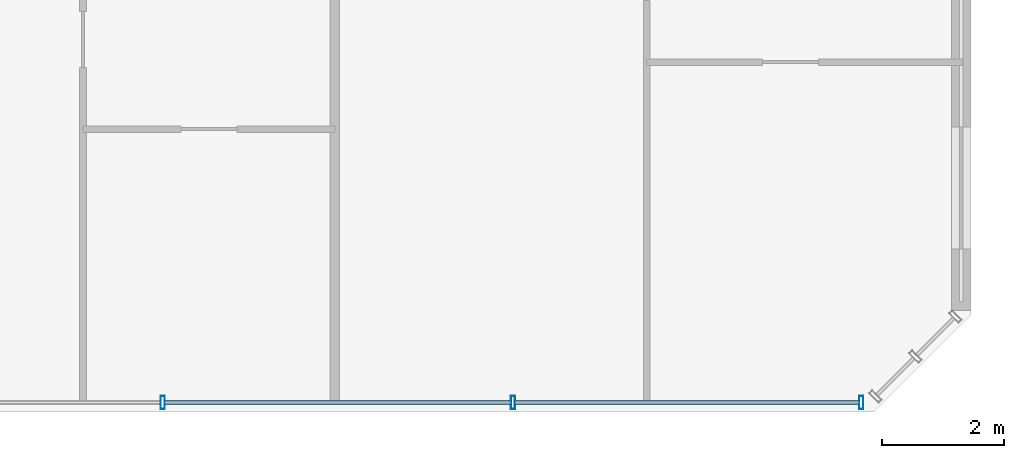
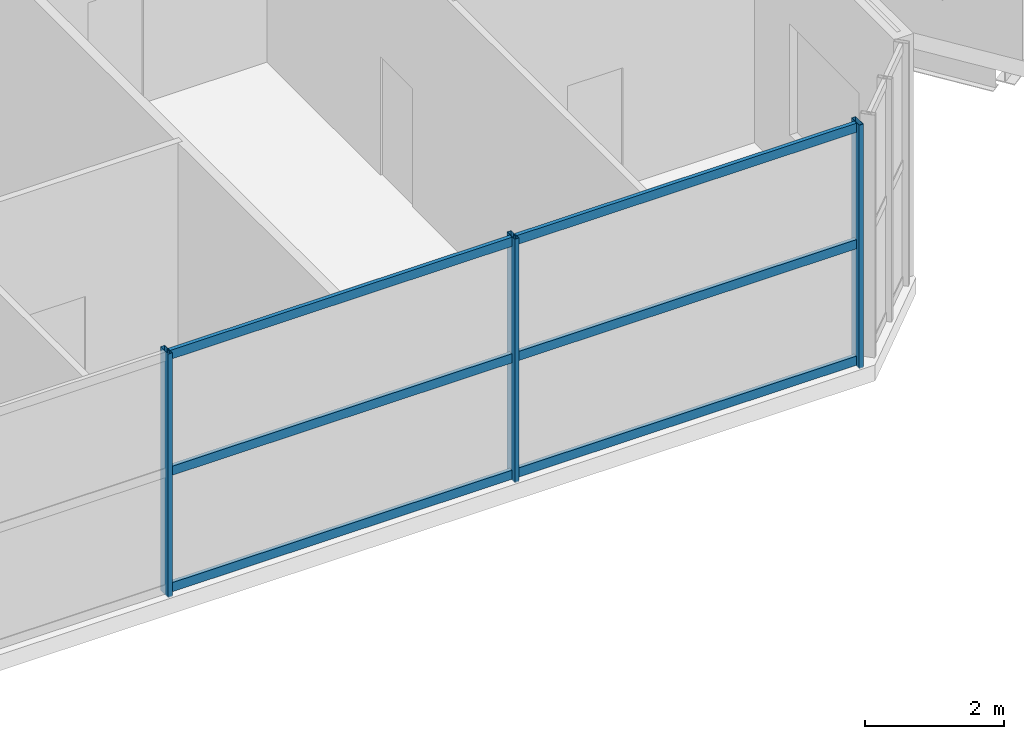
# One storey, part 8 of 27: 9 members, 1 element without a shape of its own.
"""IFC4 building model written with IfcOpenShell, lengths in metres."""

from ifc_helpers import new_model, si_unit, direction, frame, origin, origin_2d, place, context, subcontext, project, spatial, hollow_rectangle, extrude, source, transform, mapped, material, material_profile, profile_set, type_object, element, aggregate, save


model = new_model("IFC4")

# Units and contexts
model_context = context("Model", 3, precision=1e-05, world=origin(), true_north=direction((0.0, 1.0)))
body_context = subcontext(model_context, "Body", "Model", "MODEL_VIEW")
ifc_project = project(units=[si_unit("LENGTHUNIT", "METRE"), si_unit("AREAUNIT", "SQUARE_METRE"), si_unit("VOLUMEUNIT", "CUBIC_METRE"), si_unit("PLANEANGLEUNIT", "RADIAN"), si_unit("MASSUNIT", "GRAM", prefix="KILO")], contexts=[model_context])

# Site, building, storey
site_placement = place(None, origin())
site = spatial("IfcSite", under=ifc_project, at=site_placement, CompositionType="ELEMENT")
building_placement = place(site_placement, origin())
building = spatial("IfcBuilding", under=site, at=building_placement, Name="Tlacorven Tower", CompositionType="ELEMENT")
storey_placement = place(building_placement, frame((0.0, 0.0, 254.699951171875)))
storey = spatial("IfcBuildingStorey", under=building, at=storey_placement, Name="L64", CompositionType="ELEMENT", Elevation=254.699951171875)

# Curtain wall, members
ifc_material_1 = material(Name="Dark solar low-E double glazing in aluminium frame", Category="aluminium")
curtain_wall_type = type_object("IfcCurtainWallType", Name="CW-COM-AMENITY", PredefinedType="USERDEFINED", material=ifc_material_1)
curtain_wall_placement = place(storey_placement, origin())
curtain_wall = element("IfcCurtainWall", 1, at=curtain_wall_placement, inside=storey, type_object=curtain_wall_type, Name="L64 CW-COM-AMENITY Curtain Wall 297", ObjectType="UNITISED CURTAIN WALL", PredefinedType="USERDEFINED")
ifc_material_2 = material(Name="Aluminium 6063-T6 anodised", Category="aluminium")
ifc_material_profile_1 = material_profile(ifc_material_2, hollow_rectangle(XDim=0.070068359375, YDim=0.219970703125, WallThickness=0.0048828125, at=origin_2d()), Name="ALU MULLION 70X220")
ifc_profile_set_1 = profile_set([ifc_material_profile_1], Name="Aluminium 6063-T6 anodised")
member_type_1 = type_object("IfcMemberType", Name="CWM-01", PredefinedType="MULLION", material=ifc_profile_set_1)
shared_shape_1 = source(origin(), body_context, "Body", "SweptSolid", [
    extrude(hollow_rectangle(XDim=0.070068359375, YDim=0.219970703125, WallThickness=0.0048828125, at=origin_2d()), origin(), (0.0, 0.0, 1.0), 4.280029296875),
])
member_1_placement = place(storey_placement, frame((50.5986328125, 1.9599609375, -0.02001953125), z_axis=(0.0, 0.0, 1.0), x_axis=(-1.0, 0.0, 0.0)))
member_1 = element("IfcMember", 2, at=member_1_placement, type_object=member_type_1, Name="CW-L64-297 Mullion 1", PredefinedType="MULLION", context=body_context, shape_type="MappedRepresentation", body=[
    mapped(shared_shape_1, transform((0.0, 0.0, 0.0), scale=1.0)),
])
member_2_placement = place(storey_placement, frame((44.8779296875, 1.9599609375, -0.02001953125), z_axis=(0.0, 0.0, 1.0), x_axis=(-1.0, 0.0, 0.0)))
member_2 = element("IfcMember", 3, at=member_2_placement, type_object=member_type_1, Name="CW-L64-297 Mullion 2", PredefinedType="MULLION", context=body_context, shape_type="MappedRepresentation", body=[
    mapped(shared_shape_1, transform((0.0, 0.0, 0.0), scale=1.0)),
])
member_3_placement = place(storey_placement, frame((39.1220703125, 1.9599609375, -0.02001953125), z_axis=(0.0, 0.0, 1.0), x_axis=(-1.0, 0.0, 0.0)))
member_3 = element("IfcMember", 4, at=member_3_placement, type_object=member_type_1, Name="CW-L64-297 Mullion 3", PredefinedType="MULLION", context=body_context, shape_type="MappedRepresentation", body=[
    mapped(shared_shape_1, transform((0.0, 0.0, 0.0), scale=1.0)),
])
ifc_material_profile_2 = material_profile(ifc_material_2, hollow_rectangle(XDim=0.06494140625, YDim=0.159912109375, WallThickness=0.00390625, at=origin_2d()), Name="ALU TRANSOM 65X160")
ifc_profile_set_2 = profile_set([ifc_material_profile_2], Name="Aluminium 6063-T6 anodised")
member_type_2 = type_object("IfcMemberType", Name="CWT-01", PredefinedType="USERDEFINED", material=ifc_profile_set_2)
shared_shape_2 = source(origin(), body_context, "Body", "SweptSolid", [
    extrude(hollow_rectangle(XDim=0.06494140625, YDim=0.159912109375, WallThickness=0.00390625, at=origin_2d()), origin(), (0.0, 0.0, 1.0), 5.6748046875),
])
member_4_placement = place(storey_placement, frame((50.57568359375, 1.9599609375, 0.080078125), z_axis=(-1.0, 0.0, 0.0), x_axis=(0.0, -1.0, 0.0)))
member_4 = element("IfcMember", 5, at=member_4_placement, type_object=member_type_2, Name="CW-L64-297 Transom 1", ObjectType="TRANSOM", PredefinedType="USERDEFINED", context=body_context, shape_type="MappedRepresentation", body=[
    mapped(shared_shape_2, transform((0.0, 0.0, 0.0), scale=1.0)),
])
member_5_placement = place(storey_placement, frame((50.57568359375, 1.9599609375, 2.125), z_axis=(-1.0, 0.0, 0.0), x_axis=(0.0, -1.0, 0.0)))
member_5 = element("IfcMember", 6, at=member_5_placement, type_object=member_type_2, Name="CW-L64-297 Transom 2", ObjectType="TRANSOM", PredefinedType="USERDEFINED", context=body_context, shape_type="MappedRepresentation", body=[
    mapped(shared_shape_2, transform((0.0, 0.0, 0.0), scale=1.0)),
])
member_6_placement = place(storey_placement, frame((50.57568359375, 1.9599609375, 4.170166015625), z_axis=(-1.0, 0.0, 0.0), x_axis=(0.0, -1.0, 0.0)))
member_6 = element("IfcMember", 7, at=member_6_placement, type_object=member_type_2, Name="CW-L64-297 Transom 3", ObjectType="TRANSOM", PredefinedType="USERDEFINED", context=body_context, shape_type="MappedRepresentation", body=[
    mapped(shared_shape_2, transform((0.0, 0.0, 0.0), scale=1.0)),
])
shared_shape_3 = source(origin(), body_context, "Body", "SweptSolid", [
    extrude(hollow_rectangle(XDim=0.06494140625, YDim=0.159912109375, WallThickness=0.00390625, at=origin_2d()), origin(), (0.0, 0.0, 1.0), 5.7099609375),
])
member_7_placement = place(storey_placement, frame((44.85498046875, 1.9599609375, 0.080078125), z_axis=(-1.0, 0.0, 0.0), x_axis=(0.0, -1.0, 0.0)))
member_7 = element("IfcMember", 8, at=member_7_placement, type_object=member_type_2, Name="CW-L64-297 Transom 4", ObjectType="TRANSOM", PredefinedType="USERDEFINED", context=body_context, shape_type="MappedRepresentation", body=[
    mapped(shared_shape_3, transform((0.0, 0.0, 0.0), scale=1.0)),
])
member_8_placement = place(storey_placement, frame((44.85498046875, 1.9599609375, 2.125), z_axis=(-1.0, 0.0, 0.0), x_axis=(0.0, -1.0, 0.0)))
member_8 = element("IfcMember", 9, at=member_8_placement, type_object=member_type_2, Name="CW-L64-297 Transom 5", ObjectType="TRANSOM", PredefinedType="USERDEFINED", context=body_context, shape_type="MappedRepresentation", body=[
    mapped(shared_shape_3, transform((0.0, 0.0, 0.0), scale=1.0)),
])
member_9_placement = place(storey_placement, frame((44.85498046875, 1.9599609375, 4.170166015625), z_axis=(-1.0, 0.0, 0.0), x_axis=(0.0, -1.0, 0.0)))
member_9 = element("IfcMember", 10, at=member_9_placement, type_object=member_type_2, Name="CW-L64-297 Transom 6", ObjectType="TRANSOM", PredefinedType="USERDEFINED", context=body_context, shape_type="MappedRepresentation", body=[
    mapped(shared_shape_3, transform((0.0, 0.0, 0.0), scale=1.0)),
])
aggregate(curtain_wall, [member_1, member_2, member_3, member_4, member_5, member_6, member_7, member_8, member_9])

save(model, "model.ifc")
